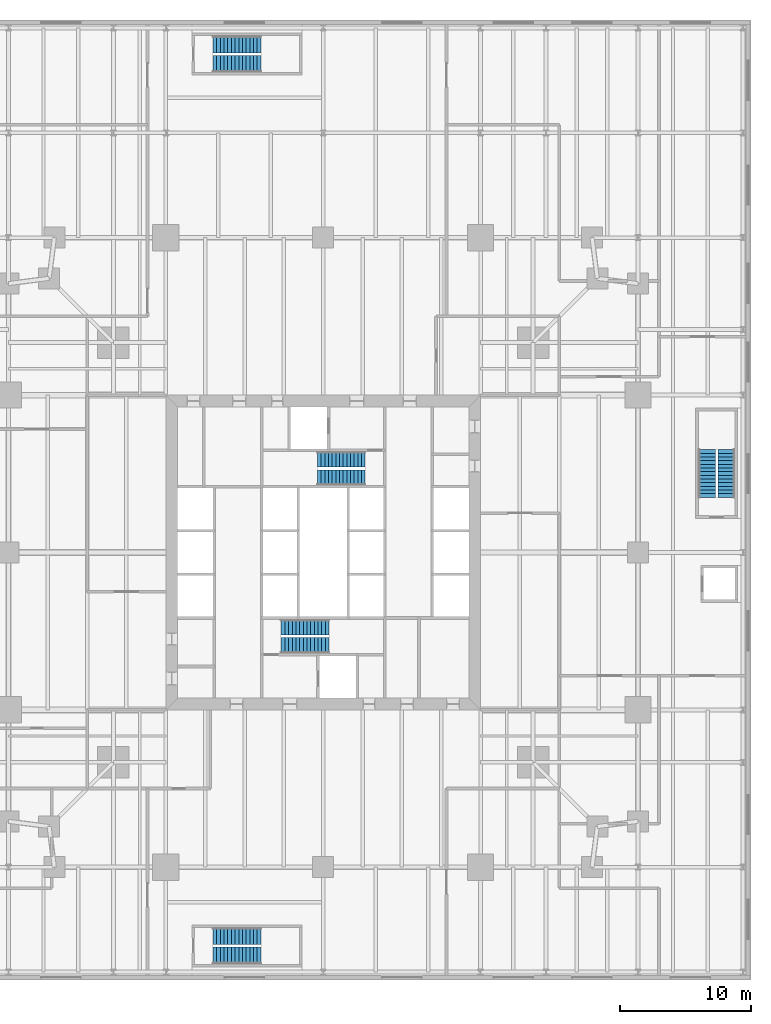
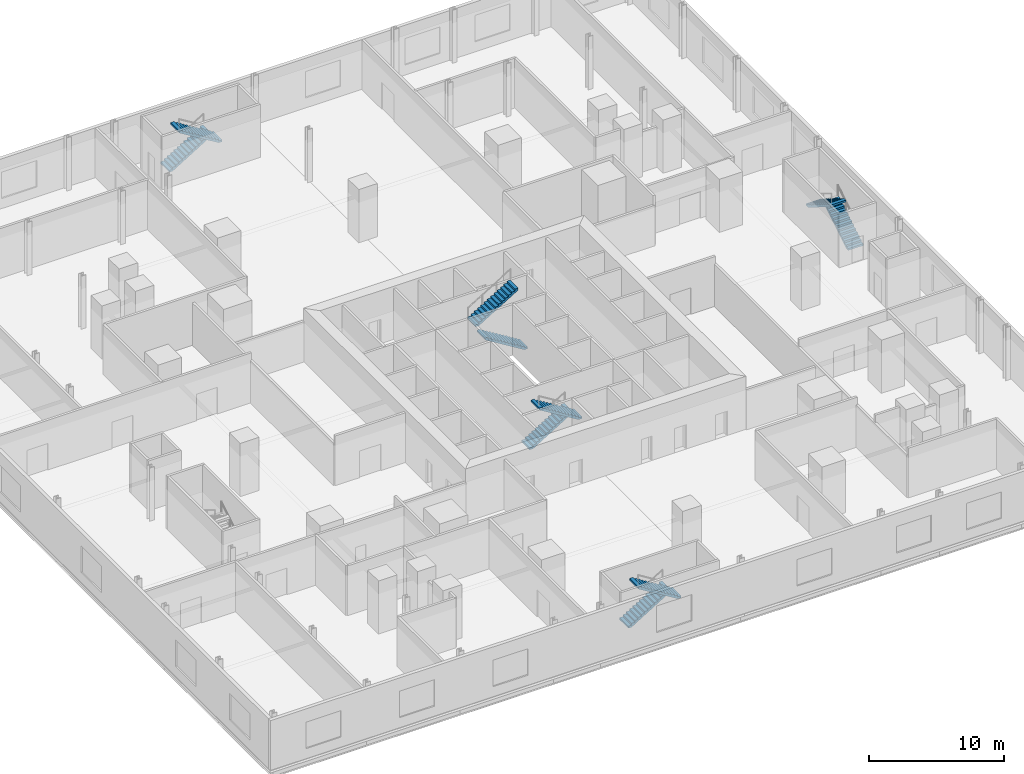
# One storey, part 14 of 16: 10 stair flights, 5 elements without a shape of their own.
"""IFC4 building model written with IfcOpenShell, lengths in metres."""

from ifc_helpers import new_model, si_unit, direction, frame, origin, place, context, subcontext, project, spatial, polyline, outline, extrude, material, type_object, element, aggregate, save


model = new_model("IFC4")

# Units and contexts
model_context = context("Model", 3, precision=1e-05, world=origin(), true_north=direction((0.0, 1.0)))
body_context = subcontext(model_context, "Body", "Model", "MODEL_VIEW")
ifc_project = project(units=[si_unit("LENGTHUNIT", "METRE"), si_unit("AREAUNIT", "SQUARE_METRE"), si_unit("VOLUMEUNIT", "CUBIC_METRE"), si_unit("PLANEANGLEUNIT", "RADIAN"), si_unit("MASSUNIT", "GRAM", prefix="KILO")], contexts=[model_context])

# Site, building, storey
site_placement = place(None, origin())
site = spatial("IfcSite", under=ifc_project, at=site_placement, CompositionType="ELEMENT")
building_placement = place(site_placement, origin())
building = spatial("IfcBuilding", under=site, at=building_placement, Name="Fenwick Lantern Interchange", CompositionType="ELEMENT")
storey_placement = place(building_placement, frame((0.0, 0.0, 16.60009765625)))
storey = spatial("IfcBuildingStorey", under=building, at=storey_placement, Name="L03", CompositionType="ELEMENT", Elevation=16.60009765625)

# Stair, stair flights
ifc_material = material(Name="Precast concrete f'c 35 MPa", Category="concrete")
stair_type_1 = type_object("IfcStairType", Name="EXIT STAIR 1200", PredefinedType="HALF_TURN_STAIR", material=ifc_material)
stair_1_placement = place(storey_placement, origin())
stair_1 = element("IfcStair", 1, at=stair_1_placement, inside=storey, type_object=stair_type_1, Name="Exit stair ST1", PredefinedType="HALF_TURN_STAIR")
stair_flight_type_1 = type_object("IfcStairFlightType", Name="STAIR FLIGHT 1200", PredefinedType="STRAIGHT", material=ifc_material)
stair_flight_1_placement = place(storey_placement, frame((21.800048828125, 19.300048828125, 0.0), z_axis=(0.0, 0.0, 1.0), x_axis=(1.0, 0.0, 0.0)))
stair_flight_1 = element("IfcStairFlight", 2, at=stair_flight_1_placement, type_object=stair_flight_type_1, Name="ST1 flight 1", NumberOfRisers=14, NumberOfTreads=13, PredefinedType="STRAIGHT", RiserHeight=0.171428571, TreadLength=0.28, context=body_context, shape_type="SweptSolid", body=[
    extrude(outline(polyline([(0.0, 0.0), (0.0, 0.17138671875), (0.280029296875, 0.17138671875), (0.280029296875, 0.3427734375), (0.56005859375, 0.3427734375), (0.56005859375, 0.514404296875), (0.840087890625, 0.514404296875), (0.840087890625, 0.685791015625), (1.1201171875, 0.685791015625), (1.1201171875, 0.857177734375), (1.39990234375, 0.857177734375), (1.39990234375, 1.028564453125), (1.679931640625, 1.028564453125), (1.679931640625, 1.199951171875), (1.9599609375, 1.199951171875), (1.9599609375, 1.371337890625), (2.239990234375, 1.371337890625), (2.239990234375, 1.54296875), (2.52001953125, 1.54296875), (2.52001953125, 1.71435546875), (2.800048828125, 1.71435546875), (2.800048828125, 1.8857421875), (3.080078125, 1.8857421875), (3.080078125, 2.05712890625), (3.360107421875, 2.05712890625), (3.360107421875, 2.228515625), (3.639892578125, 2.228515625), (3.639892578125, 2.39990234375), (3.639892578125, 2.052734375), (0.287109375, 0.0), (0.0, 0.0)])), frame((0.0, 0.60009765625, 0.0), z_axis=(0.0, -1.0, 0.0), x_axis=(1.0, 0.0, 0.0)), (0.0, 0.0, 1.0), 1.199951171875),
])
stair_flight_2_placement = place(storey_placement, frame((25.43994140625, 17.89990234375, 2.39990234375), z_axis=(0.0, 0.0, 1.0), x_axis=(-1.0, 0.0, 0.0)))
stair_flight_2 = element("IfcStairFlight", 3, at=stair_flight_2_placement, type_object=stair_flight_type_1, Name="ST1 flight 2", NumberOfRisers=14, NumberOfTreads=13, PredefinedType="STRAIGHT", RiserHeight=0.171428571, TreadLength=0.28, context=body_context, shape_type="SweptSolid", body=[
    extrude(outline(polyline([(0.0, 0.0), (0.0, 0.17138671875), (0.280029296875, 0.17138671875), (0.280029296875, 0.3427734375), (0.56005859375, 0.3427734375), (0.56005859375, 0.514404296875), (0.840087890625, 0.514404296875), (0.840087890625, 0.685791015625), (1.1201171875, 0.685791015625), (1.1201171875, 0.857177734375), (1.39990234375, 0.857177734375), (1.39990234375, 1.028564453125), (1.679931640625, 1.028564453125), (1.679931640625, 1.199951171875), (1.9599609375, 1.199951171875), (1.9599609375, 1.371337890625), (2.239990234375, 1.371337890625), (2.239990234375, 1.54296875), (2.52001953125, 1.54296875), (2.52001953125, 1.71435546875), (2.800048828125, 1.71435546875), (2.800048828125, 1.8857421875), (3.080078125, 1.8857421875), (3.080078125, 2.05712890625), (3.360107421875, 2.05712890625), (3.360107421875, 2.228515625), (3.639892578125, 2.228515625), (3.639892578125, 2.39990234375), (3.639892578125, 2.052734375), (0.287109375, 0.0), (0.0, 0.0)])), frame((0.0, 0.60009765625, 0.0), z_axis=(0.0, -1.0, 0.0), x_axis=(1.0, 0.0, 0.0)), (0.0, 0.0, 1.0), 1.199951171875),
])
aggregate(stair_1, [stair_flight_1, stair_flight_2])

stair_2_placement = place(storey_placement, origin())
stair_2 = element("IfcStair", 4, at=stair_2_placement, inside=storey, type_object=stair_type_1, Name="Exit stair ST2", PredefinedType="HALF_TURN_STAIR")
stair_flight_3_placement = place(storey_placement, frame((28.199951171875, 30.699951171875, 0.0), z_axis=(0.0, 0.0, 1.0), x_axis=(-1.0, 0.0, 0.0)))
stair_flight_3 = element("IfcStairFlight", 5, at=stair_flight_3_placement, type_object=stair_flight_type_1, Name="ST2 flight 1", NumberOfRisers=14, NumberOfTreads=13, PredefinedType="STRAIGHT", RiserHeight=0.171428571, TreadLength=0.28, context=body_context, shape_type="SweptSolid", body=[
    extrude(outline(polyline([(0.0, 0.0), (0.0, 0.17138671875), (0.280029296875, 0.17138671875), (0.280029296875, 0.3427734375), (0.56005859375, 0.3427734375), (0.56005859375, 0.514404296875), (0.840087890625, 0.514404296875), (0.840087890625, 0.685791015625), (1.1201171875, 0.685791015625), (1.1201171875, 0.857177734375), (1.39990234375, 0.857177734375), (1.39990234375, 1.028564453125), (1.679931640625, 1.028564453125), (1.679931640625, 1.199951171875), (1.9599609375, 1.199951171875), (1.9599609375, 1.371337890625), (2.239990234375, 1.371337890625), (2.239990234375, 1.54296875), (2.52001953125, 1.54296875), (2.52001953125, 1.71435546875), (2.800048828125, 1.71435546875), (2.800048828125, 1.8857421875), (3.080078125, 1.8857421875), (3.080078125, 2.05712890625), (3.360107421875, 2.05712890625), (3.360107421875, 2.228515625), (3.639892578125, 2.228515625), (3.639892578125, 2.39990234375), (3.639892578125, 2.052734375), (0.287109375, 0.0), (0.0, 0.0)])), frame((0.0, 0.60009765625, 0.0), z_axis=(0.0, -1.0, 0.0), x_axis=(1.0, 0.0, 0.0)), (0.0, 0.0, 1.0), 1.199951171875),
])
stair_flight_4_placement = place(storey_placement, frame((24.56005859375, 32.10009765625, 2.39990234375), z_axis=(0.0, 0.0, 1.0), x_axis=(1.0, 0.0, 0.0)))
stair_flight_4 = element("IfcStairFlight", 6, at=stair_flight_4_placement, type_object=stair_flight_type_1, Name="ST2 flight 2", NumberOfRisers=14, NumberOfTreads=13, PredefinedType="STRAIGHT", RiserHeight=0.171428571, TreadLength=0.28, context=body_context, shape_type="SweptSolid", body=[
    extrude(outline(polyline([(0.0, 0.0), (0.0, 0.17138671875), (0.280029296875, 0.17138671875), (0.280029296875, 0.3427734375), (0.56005859375, 0.3427734375), (0.56005859375, 0.514404296875), (0.840087890625, 0.514404296875), (0.840087890625, 0.685791015625), (1.1201171875, 0.685791015625), (1.1201171875, 0.857177734375), (1.39990234375, 0.857177734375), (1.39990234375, 1.028564453125), (1.679931640625, 1.028564453125), (1.679931640625, 1.199951171875), (1.9599609375, 1.199951171875), (1.9599609375, 1.371337890625), (2.239990234375, 1.371337890625), (2.239990234375, 1.54296875), (2.52001953125, 1.54296875), (2.52001953125, 1.71435546875), (2.800048828125, 1.71435546875), (2.800048828125, 1.8857421875), (3.080078125, 1.8857421875), (3.080078125, 2.05712890625), (3.360107421875, 2.05712890625), (3.360107421875, 2.228515625), (3.639892578125, 2.228515625), (3.639892578125, 2.39990234375), (3.639892578125, 2.052734375), (0.287109375, 0.0), (0.0, 0.0)])), frame((0.0, 0.60009765625, 0.0), z_axis=(0.0, -1.0, 0.0), x_axis=(1.0, 0.0, 0.0)), (0.0, 0.0, 1.0), 1.199951171875),
])
aggregate(stair_2, [stair_flight_3, stair_flight_4])

stair_type_2 = type_object("IfcStairType", Name="EXIT STAIR 1300", PredefinedType="HALF_TURN_STAIR", material=ifc_material)
stair_3_placement = place(storey_placement, origin())
stair_3 = element("IfcStair", 7, at=stair_3_placement, inside=storey, type_object=stair_type_2, Name="Exit stair PS1", PredefinedType="HALF_TURN_STAIR")
stair_flight_type_2 = type_object("IfcStairFlightType", Name="STAIR FLIGHT 1300", PredefinedType="STRAIGHT", material=ifc_material)
stair_flight_5_placement = place(storey_placement, frame((16.60009765625, 63.75, 0.0), z_axis=(0.0, 0.0, 1.0), x_axis=(1.0, 0.0, 0.0)))
stair_flight_5 = element("IfcStairFlight", 8, at=stair_flight_5_placement, type_object=stair_flight_type_2, Name="PS1 flight 1", NumberOfRisers=14, NumberOfTreads=13, PredefinedType="STRAIGHT", RiserHeight=0.171428571, TreadLength=0.28, context=body_context, shape_type="SweptSolid", body=[
    extrude(outline(polyline([(0.0, 0.0), (0.0, 0.17138671875), (0.280029296875, 0.17138671875), (0.280029296875, 0.3427734375), (0.56005859375, 0.3427734375), (0.56005859375, 0.514404296875), (0.840087890625, 0.514404296875), (0.840087890625, 0.685791015625), (1.1201171875, 0.685791015625), (1.1201171875, 0.857177734375), (1.39990234375, 0.857177734375), (1.39990234375, 1.028564453125), (1.679931640625, 1.028564453125), (1.679931640625, 1.199951171875), (1.9599609375, 1.199951171875), (1.9599609375, 1.371337890625), (2.239990234375, 1.371337890625), (2.239990234375, 1.54296875), (2.52001953125, 1.54296875), (2.52001953125, 1.71435546875), (2.800048828125, 1.71435546875), (2.800048828125, 1.8857421875), (3.080078125, 1.8857421875), (3.080078125, 2.05712890625), (3.360107421875, 2.05712890625), (3.360107421875, 2.228515625), (3.639892578125, 2.228515625), (3.639892578125, 2.39990234375), (3.639892578125, 2.052734375), (0.287109375, 0.0), (0.0, 0.0)])), frame((0.0, 0.64990234375, 0.0), z_axis=(0.0, -1.0, 0.0), x_axis=(1.0, 0.0, 0.0)), (0.0, 0.0, 1.0), 1.300048828125),
])
stair_flight_6_placement = place(storey_placement, frame((20.239990234375, 62.25, 2.39990234375), z_axis=(0.0, 0.0, 1.0), x_axis=(-1.0, 0.0, 0.0)))
stair_flight_6 = element("IfcStairFlight", 9, at=stair_flight_6_placement, type_object=stair_flight_type_2, Name="PS1 flight 2", NumberOfRisers=14, NumberOfTreads=13, PredefinedType="STRAIGHT", RiserHeight=0.171428571, TreadLength=0.28, context=body_context, shape_type="SweptSolid", body=[
    extrude(outline(polyline([(0.0, 0.0), (0.0, 0.17138671875), (0.280029296875, 0.17138671875), (0.280029296875, 0.3427734375), (0.56005859375, 0.3427734375), (0.56005859375, 0.514404296875), (0.840087890625, 0.514404296875), (0.840087890625, 0.685791015625), (1.1201171875, 0.685791015625), (1.1201171875, 0.857177734375), (1.39990234375, 0.857177734375), (1.39990234375, 1.028564453125), (1.679931640625, 1.028564453125), (1.679931640625, 1.199951171875), (1.9599609375, 1.199951171875), (1.9599609375, 1.371337890625), (2.239990234375, 1.371337890625), (2.239990234375, 1.54296875), (2.52001953125, 1.54296875), (2.52001953125, 1.71435546875), (2.800048828125, 1.71435546875), (2.800048828125, 1.8857421875), (3.080078125, 1.8857421875), (3.080078125, 2.05712890625), (3.360107421875, 2.05712890625), (3.360107421875, 2.228515625), (3.639892578125, 2.228515625), (3.639892578125, 2.39990234375), (3.639892578125, 2.052734375), (0.287109375, 0.0), (0.0, 0.0)])), frame((0.0, 0.64990234375, 0.0), z_axis=(0.0, -1.0, 0.0), x_axis=(1.0, 0.0, 0.0)), (0.0, 0.0, 1.0), 1.300048828125),
])
aggregate(stair_3, [stair_flight_5, stair_flight_6])

stair_4_placement = place(storey_placement, origin())
stair_4 = element("IfcStair", 10, at=stair_4_placement, inside=storey, type_object=stair_type_2, Name="Exit stair PS2", PredefinedType="HALF_TURN_STAIR")
stair_flight_7_placement = place(storey_placement, frame((16.60009765625, -4.25, 0.0), z_axis=(0.0, 0.0, 1.0), x_axis=(1.0, 0.0, 0.0)))
stair_flight_7 = element("IfcStairFlight", 11, at=stair_flight_7_placement, type_object=stair_flight_type_2, Name="PS2 flight 1", NumberOfRisers=14, NumberOfTreads=13, PredefinedType="STRAIGHT", RiserHeight=0.171428571, TreadLength=0.28, context=body_context, shape_type="SweptSolid", body=[
    extrude(outline(polyline([(0.0, 0.0), (0.0, 0.17138671875), (0.280029296875, 0.17138671875), (0.280029296875, 0.3427734375), (0.56005859375, 0.3427734375), (0.56005859375, 0.514404296875), (0.840087890625, 0.514404296875), (0.840087890625, 0.685791015625), (1.1201171875, 0.685791015625), (1.1201171875, 0.857177734375), (1.39990234375, 0.857177734375), (1.39990234375, 1.028564453125), (1.679931640625, 1.028564453125), (1.679931640625, 1.199951171875), (1.9599609375, 1.199951171875), (1.9599609375, 1.371337890625), (2.239990234375, 1.371337890625), (2.239990234375, 1.54296875), (2.52001953125, 1.54296875), (2.52001953125, 1.71435546875), (2.800048828125, 1.71435546875), (2.800048828125, 1.8857421875), (3.080078125, 1.8857421875), (3.080078125, 2.05712890625), (3.360107421875, 2.05712890625), (3.360107421875, 2.228515625), (3.639892578125, 2.228515625), (3.639892578125, 2.39990234375), (3.639892578125, 2.052734375), (0.287109375, 0.0), (0.0, 0.0)])), frame((0.0, 0.64990234375, 0.0), z_axis=(0.0, -1.0, 0.0), x_axis=(1.0, 0.0, 0.0)), (0.0, 0.0, 1.0), 1.300048828125),
])
stair_flight_8_placement = place(storey_placement, frame((20.239990234375, -5.75, 2.39990234375), z_axis=(0.0, 0.0, 1.0), x_axis=(-1.0, 0.0, 0.0)))
stair_flight_8 = element("IfcStairFlight", 12, at=stair_flight_8_placement, type_object=stair_flight_type_2, Name="PS2 flight 2", NumberOfRisers=14, NumberOfTreads=13, PredefinedType="STRAIGHT", RiserHeight=0.171428571, TreadLength=0.28, context=body_context, shape_type="SweptSolid", body=[
    extrude(outline(polyline([(0.0, 0.0), (0.0, 0.17138671875), (0.280029296875, 0.17138671875), (0.280029296875, 0.3427734375), (0.56005859375, 0.3427734375), (0.56005859375, 0.514404296875), (0.840087890625, 0.514404296875), (0.840087890625, 0.685791015625), (1.1201171875, 0.685791015625), (1.1201171875, 0.857177734375), (1.39990234375, 0.857177734375), (1.39990234375, 1.028564453125), (1.679931640625, 1.028564453125), (1.679931640625, 1.199951171875), (1.9599609375, 1.199951171875), (1.9599609375, 1.371337890625), (2.239990234375, 1.371337890625), (2.239990234375, 1.54296875), (2.52001953125, 1.54296875), (2.52001953125, 1.71435546875), (2.800048828125, 1.71435546875), (2.800048828125, 1.8857421875), (3.080078125, 1.8857421875), (3.080078125, 2.05712890625), (3.360107421875, 2.05712890625), (3.360107421875, 2.228515625), (3.639892578125, 2.228515625), (3.639892578125, 2.39990234375), (3.639892578125, 2.052734375), (0.287109375, 0.0), (0.0, 0.0)])), frame((0.0, 0.64990234375, 0.0), z_axis=(0.0, -1.0, 0.0), x_axis=(1.0, 0.0, 0.0)), (0.0, 0.0, 1.0), 1.300048828125),
])
aggregate(stair_4, [stair_flight_7, stair_flight_8])

stair_5_placement = place(storey_placement, origin())
stair_5 = element("IfcStair", 13, at=stair_5_placement, inside=storey, type_object=stair_type_2, Name="Exit stair PS4", PredefinedType="HALF_TURN_STAIR")
stair_flight_9_placement = place(storey_placement, frame((55.75, 29.199951171875, 0.0), z_axis=(0.0, 0.0, 1.0), x_axis=(0.0, 1.0, 0.0)))
stair_flight_9 = element("IfcStairFlight", 14, at=stair_flight_9_placement, type_object=stair_flight_type_2, Name="PS4 flight 1", NumberOfRisers=14, NumberOfTreads=13, PredefinedType="STRAIGHT", RiserHeight=0.171428571, TreadLength=0.28, context=body_context, shape_type="SweptSolid", body=[
    extrude(outline(polyline([(0.0, 0.0), (0.0, 0.17138671875), (0.280029296875, 0.17138671875), (0.280029296875, 0.3427734375), (0.56005859375, 0.3427734375), (0.56005859375, 0.514404296875), (0.840087890625, 0.514404296875), (0.840087890625, 0.685791015625), (1.1201171875, 0.685791015625), (1.1201171875, 0.857177734375), (1.39990234375, 0.857177734375), (1.39990234375, 1.028564453125), (1.679931640625, 1.028564453125), (1.679931640625, 1.199951171875), (1.9599609375, 1.199951171875), (1.9599609375, 1.371337890625), (2.239990234375, 1.371337890625), (2.239990234375, 1.54296875), (2.52001953125, 1.54296875), (2.52001953125, 1.71435546875), (2.800048828125, 1.71435546875), (2.800048828125, 1.8857421875), (3.080078125, 1.8857421875), (3.080078125, 2.05712890625), (3.360107421875, 2.05712890625), (3.360107421875, 2.228515625), (3.639892578125, 2.228515625), (3.639892578125, 2.39990234375), (3.639892578125, 2.052734375), (0.287109375, 0.0), (0.0, 0.0)])), frame((0.0, 0.64990234375, 0.0), z_axis=(0.0, -1.0, 0.0), x_axis=(1.0, 0.0, 0.0)), (0.0, 0.0, 1.0), 1.300048828125),
])
stair_flight_10_placement = place(storey_placement, frame((54.25, 32.840087890625, 2.39990234375), z_axis=(0.0, 0.0, 1.0), x_axis=(0.0, -1.0, 0.0)))
stair_flight_10 = element("IfcStairFlight", 15, at=stair_flight_10_placement, type_object=stair_flight_type_2, Name="PS4 flight 2", NumberOfRisers=14, NumberOfTreads=13, PredefinedType="STRAIGHT", RiserHeight=0.171428571, TreadLength=0.28, context=body_context, shape_type="SweptSolid", body=[
    extrude(outline(polyline([(0.0, 0.0), (0.0, 0.17138671875), (0.280029296875, 0.17138671875), (0.280029296875, 0.3427734375), (0.56005859375, 0.3427734375), (0.56005859375, 0.514404296875), (0.840087890625, 0.514404296875), (0.840087890625, 0.685791015625), (1.1201171875, 0.685791015625), (1.1201171875, 0.857177734375), (1.39990234375, 0.857177734375), (1.39990234375, 1.028564453125), (1.679931640625, 1.028564453125), (1.679931640625, 1.199951171875), (1.9599609375, 1.199951171875), (1.9599609375, 1.371337890625), (2.239990234375, 1.371337890625), (2.239990234375, 1.54296875), (2.52001953125, 1.54296875), (2.52001953125, 1.71435546875), (2.800048828125, 1.71435546875), (2.800048828125, 1.8857421875), (3.080078125, 1.8857421875), (3.080078125, 2.05712890625), (3.360107421875, 2.05712890625), (3.360107421875, 2.228515625), (3.639892578125, 2.228515625), (3.639892578125, 2.39990234375), (3.639892578125, 2.052734375), (0.287109375, 0.0), (0.0, 0.0)])), frame((0.0, 0.64990234375, 0.0), z_axis=(0.0, -1.0, 0.0), x_axis=(1.0, 0.0, 0.0)), (0.0, 0.0, 1.0), 1.300048828125),
])
aggregate(stair_5, [stair_flight_9, stair_flight_10])

save(model, "model.ifc")
